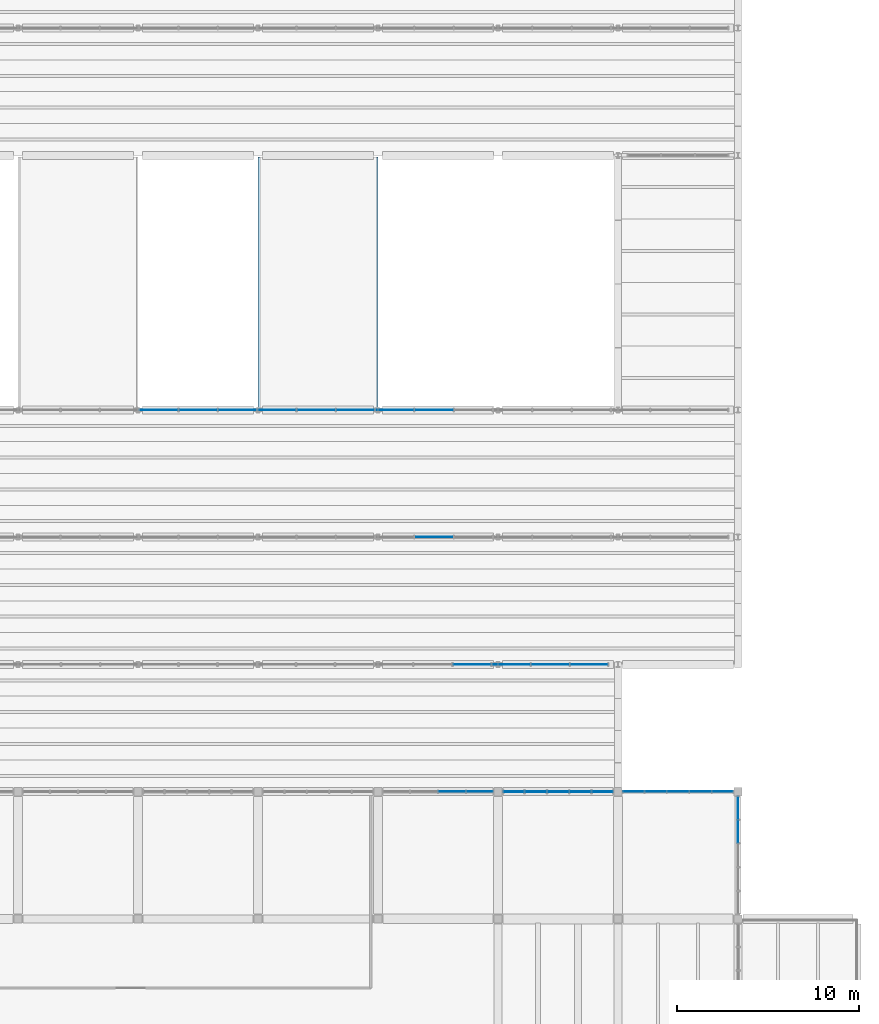
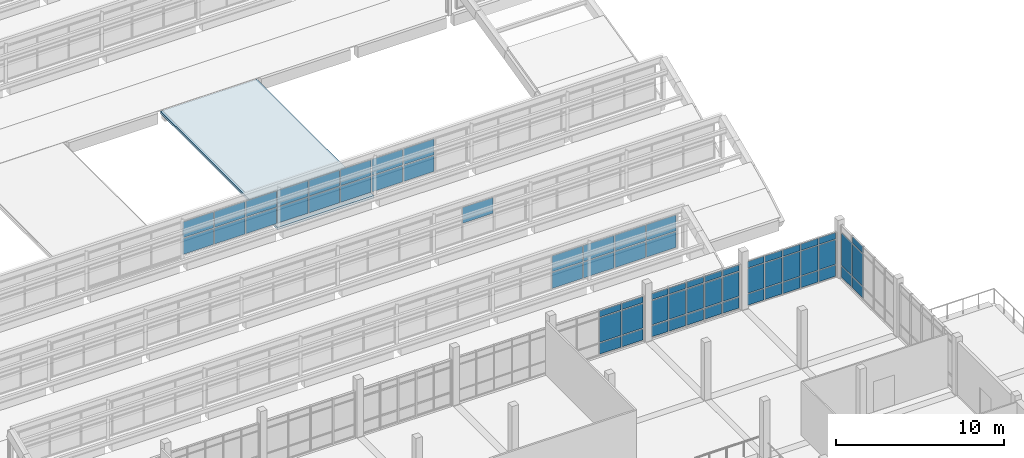
# One storey, part 70 of 92: 66 plates, 1 slab, 7 elements without a shape of their own.
"""IFC4 building model written with IfcOpenShell, lengths in metres."""

from ifc_helpers import new_model, si_unit, direction, frame, origin, origin_2d, place, context, subcontext, project, spatial, polyline, rectangle, outline, extrude, material, layer, layer_set, type_object, element, aggregate, save


model = new_model("IFC4")

# Units and contexts
model_context = context("Model", 3, precision=1e-05, world=origin(), true_north=direction((0.0, 1.0)))
body_context = subcontext(model_context, "Body", "Model", "MODEL_VIEW")
ifc_project = project(units=[si_unit("LENGTHUNIT", "METRE"), si_unit("AREAUNIT", "SQUARE_METRE"), si_unit("VOLUMEUNIT", "CUBIC_METRE"), si_unit("PLANEANGLEUNIT", "RADIAN"), si_unit("MASSUNIT", "GRAM", prefix="KILO")], contexts=[model_context])

# Site, building, storey
site_placement = place(None, origin())
site = spatial("IfcSite", under=ifc_project, at=site_placement, CompositionType="ELEMENT")
building_placement = place(site_placement, origin())
building = spatial("IfcBuilding", under=site, at=building_placement, Name="Ciguamira Faculty of Natural Sciences", CompositionType="ELEMENT")
storey_placement = place(building_placement, frame((0.0, 0.0, 16.800048828125)))
storey = spatial("IfcBuildingStorey", under=building, at=storey_placement, Name="L04", CompositionType="ELEMENT", Elevation=16.800048828125)

# Curtain wall, plates
ifc_material_1 = material(Name="Anodized aluminium curtain wall", Category="aluminium")
curtain_wall_type_1 = type_object("IfcCurtainWallType", Name="CurtainWall_CW-11", PredefinedType="USERDEFINED", material=ifc_material_1)
curtain_wall_1_placement = place(storey_placement, origin())
curtain_wall_1 = element("IfcCurtainWall", 1, at=curtain_wall_1_placement, inside=storey, type_object=curtain_wall_type_1, Name="L04 unitised curtain wall 0119", ObjectType="UNITISED CURTAIN WALL", PredefinedType="USERDEFINED")
ifc_material_2 = material(Name="Low-E laminated solar glass", Category="glass")
ifc_layer_1 = layer(ifc_material_2, 0.028076171875, Name="Low-E laminated solar glass")
ifc_layer_set_1 = layer_set([ifc_layer_1], Name="Low-E laminated solar glass")
plate_type_1 = type_object("IfcPlateType", Name="CWPanel_CWP-01", PredefinedType="CURTAIN_PANEL", material=ifc_layer_set_1)
plate_1_placement = place(storey_placement, frame((100.96875, 38.0, 0.070068359375), z_axis=(0.0, 0.0, 1.0), x_axis=(1.0, 0.0, 0.0)))
plate_1 = element("IfcPlate", 2, at=plate_1_placement, type_object=plate_type_1, Name="CW-11 panel 3.1", PredefinedType="CURTAIN_PANEL", context=body_context, shape_type="SweptSolid", body=[
    extrude(rectangle(XDim=1.467529296875, YDim=0.028076171875, at=origin_2d()), origin(), (0.0, 0.0, 1.0), 0.794921875),
])
plate_2_placement = place(storey_placement, frame((100.96875, 38.0, 0.93505859375), z_axis=(0.0, 0.0, 1.0), x_axis=(1.0, 0.0, 0.0)))
plate_2 = element("IfcPlate", 3, at=plate_2_placement, type_object=plate_type_1, Name="CW-11 panel 3.2", PredefinedType="CURTAIN_PANEL", context=body_context, shape_type="SweptSolid", body=[
    extrude(rectangle(XDim=1.467529296875, YDim=0.028076171875, at=origin_2d()), origin(), (0.0, 0.0, 1.0), 1.764892578125),
])
plate_3_placement = place(storey_placement, frame((100.96875, 38.0, 2.77001953125), z_axis=(0.0, 0.0, 1.0), x_axis=(1.0, 0.0, 0.0)))
plate_3 = element("IfcPlate", 4, at=plate_3_placement, type_object=plate_type_1, Name="CW-11 panel 3.3", PredefinedType="CURTAIN_PANEL", context=body_context, shape_type="SweptSolid", body=[
    extrude(rectangle(XDim=1.467529296875, YDim=0.028076171875, at=origin_2d()), origin(), (0.0, 0.0, 1.0), 0.445068359375),
])
plate_4_placement = place(storey_placement, frame((102.48876953125, 38.0, 0.070068359375), z_axis=(0.0, 0.0, 1.0), x_axis=(1.0, 0.0, 0.0)))
plate_4 = element("IfcPlate", 5, at=plate_4_placement, type_object=plate_type_1, Name="CW-11 panel 4.1", PredefinedType="CURTAIN_PANEL", context=body_context, shape_type="SweptSolid", body=[
    extrude(rectangle(XDim=1.4326171875, YDim=0.028076171875, at=origin_2d()), origin(), (0.0, 0.0, 1.0), 0.794921875),
])
plate_5_placement = place(storey_placement, frame((102.48876953125, 38.0, 0.93505859375), z_axis=(0.0, 0.0, 1.0), x_axis=(1.0, 0.0, 0.0)))
plate_5 = element("IfcPlate", 6, at=plate_5_placement, type_object=plate_type_1, Name="CW-11 panel 4.2", PredefinedType="CURTAIN_PANEL", context=body_context, shape_type="SweptSolid", body=[
    extrude(rectangle(XDim=1.4326171875, YDim=0.028076171875, at=origin_2d()), origin(), (0.0, 0.0, 1.0), 1.764892578125),
])
plate_6_placement = place(storey_placement, frame((102.48876953125, 38.0, 2.77001953125), z_axis=(0.0, 0.0, 1.0), x_axis=(1.0, 0.0, 0.0)))
plate_6 = element("IfcPlate", 7, at=plate_6_placement, type_object=plate_type_1, Name="CW-11 panel 4.3", PredefinedType="CURTAIN_PANEL", context=body_context, shape_type="SweptSolid", body=[
    extrude(rectangle(XDim=1.4326171875, YDim=0.028076171875, at=origin_2d()), origin(), (0.0, 0.0, 1.0), 0.445068359375),
])
aggregate(curtain_wall_1, [plate_1, plate_2, plate_3, plate_4, plate_5, plate_6])

curtain_wall_type_2 = type_object("IfcCurtainWallType", Name="CurtainWall_CW-01", PredefinedType="USERDEFINED", material=ifc_material_1)
curtain_wall_2_placement = place(storey_placement, origin())
curtain_wall_2 = element("IfcCurtainWall", 8, at=curtain_wall_2_placement, inside=storey, type_object=curtain_wall_type_2, Name="L04 unitised curtain wall 0121", ObjectType="UNITISED CURTAIN WALL", PredefinedType="USERDEFINED")
plate_7_placement = place(storey_placement, frame((110.955078125, 38.0, 0.059814453125), z_axis=(0.0, 0.0, 1.0), x_axis=(1.0, 0.0, 0.0)))
plate_7 = element("IfcPlate", 9, at=plate_7_placement, type_object=plate_type_1, Name="CW-01 panel 1.1", PredefinedType="CURTAIN_PANEL", context=body_context, shape_type="SweptSolid", body=[
    extrude(rectangle(XDim=1.139892578125, YDim=0.028076171875, at=origin_2d()), origin(), (0.0, 0.0, 1.0), 0.81005859375),
])
plate_8_placement = place(storey_placement, frame((110.955078125, 38.0, 0.929931640625), z_axis=(0.0, 0.0, 1.0), x_axis=(1.0, 0.0, 0.0)))
plate_8 = element("IfcPlate", 10, at=plate_8_placement, type_object=plate_type_1, Name="CW-01 panel 1.2", PredefinedType="CURTAIN_PANEL", context=body_context, shape_type="SweptSolid", body=[
    extrude(rectangle(XDim=1.139892578125, YDim=0.028076171875, at=origin_2d()), origin(), (0.0, 0.0, 1.0), 1.77490234375),
])
plate_9_placement = place(storey_placement, frame((110.955078125, 38.0, 2.764892578125), z_axis=(0.0, 0.0, 1.0), x_axis=(1.0, 0.0, 0.0)))
plate_9 = element("IfcPlate", 11, at=plate_9_placement, type_object=plate_type_1, Name="CW-01 panel 1.3", PredefinedType="CURTAIN_PANEL", context=body_context, shape_type="SweptSolid", body=[
    extrude(rectangle(XDim=1.139892578125, YDim=0.028076171875, at=origin_2d()), origin(), (0.0, 0.0, 1.0), 0.4599609375),
])
plate_10_placement = place(storey_placement, frame((112.169921875, 38.0, 0.059814453125), z_axis=(0.0, 0.0, 1.0), x_axis=(1.0, 0.0, 0.0)))
plate_10 = element("IfcPlate", 12, at=plate_10_placement, type_object=plate_type_1, Name="CW-01 panel 2.1", PredefinedType="CURTAIN_PANEL", context=body_context, shape_type="SweptSolid", body=[
    extrude(rectangle(XDim=1.169921875, YDim=0.028076171875, at=origin_2d()), origin(), (0.0, 0.0, 1.0), 0.81005859375),
])
plate_11_placement = place(storey_placement, frame((112.169921875, 38.0, 0.929931640625), z_axis=(0.0, 0.0, 1.0), x_axis=(1.0, 0.0, 0.0)))
plate_11 = element("IfcPlate", 13, at=plate_11_placement, type_object=plate_type_1, Name="CW-01 panel 2.2", PredefinedType="CURTAIN_PANEL", context=body_context, shape_type="SweptSolid", body=[
    extrude(rectangle(XDim=1.169921875, YDim=0.028076171875, at=origin_2d()), origin(), (0.0, 0.0, 1.0), 1.77490234375),
])
plate_12_placement = place(storey_placement, frame((112.169921875, 38.0, 2.764892578125), z_axis=(0.0, 0.0, 1.0), x_axis=(1.0, 0.0, 0.0)))
plate_12 = element("IfcPlate", 14, at=plate_12_placement, type_object=plate_type_1, Name="CW-01 panel 2.3", PredefinedType="CURTAIN_PANEL", context=body_context, shape_type="SweptSolid", body=[
    extrude(rectangle(XDim=1.169921875, YDim=0.028076171875, at=origin_2d()), origin(), (0.0, 0.0, 1.0), 0.4599609375),
])
plate_13_placement = place(storey_placement, frame((113.39990234375, 38.0, 0.059814453125), z_axis=(0.0, 0.0, 1.0), x_axis=(1.0, 0.0, 0.0)))
plate_13 = element("IfcPlate", 15, at=plate_13_placement, type_object=plate_type_1, Name="CW-01 panel 3.1", PredefinedType="CURTAIN_PANEL", context=body_context, shape_type="SweptSolid", body=[
    extrude(rectangle(XDim=1.169921875, YDim=0.028076171875, at=origin_2d()), origin(), (0.0, 0.0, 1.0), 0.81005859375),
])
plate_14_placement = place(storey_placement, frame((113.39990234375, 38.0, 0.929931640625), z_axis=(0.0, 0.0, 1.0), x_axis=(1.0, 0.0, 0.0)))
plate_14 = element("IfcPlate", 16, at=plate_14_placement, type_object=plate_type_1, Name="CW-01 panel 3.2", PredefinedType="CURTAIN_PANEL", context=body_context, shape_type="SweptSolid", body=[
    extrude(rectangle(XDim=1.169921875, YDim=0.028076171875, at=origin_2d()), origin(), (0.0, 0.0, 1.0), 1.77490234375),
])
plate_15_placement = place(storey_placement, frame((113.39990234375, 38.0, 2.764892578125), z_axis=(0.0, 0.0, 1.0), x_axis=(1.0, 0.0, 0.0)))
plate_15 = element("IfcPlate", 17, at=plate_15_placement, type_object=plate_type_1, Name="CW-01 panel 3.3", PredefinedType="CURTAIN_PANEL", context=body_context, shape_type="SweptSolid", body=[
    extrude(rectangle(XDim=1.169921875, YDim=0.028076171875, at=origin_2d()), origin(), (0.0, 0.0, 1.0), 0.4599609375),
])
plate_16_placement = place(storey_placement, frame((114.6298828125, 38.0, 0.059814453125), z_axis=(0.0, 0.0, 1.0), x_axis=(1.0, 0.0, 0.0)))
plate_16 = element("IfcPlate", 18, at=plate_16_placement, type_object=plate_type_1, Name="CW-01 panel 4.1", PredefinedType="CURTAIN_PANEL", context=body_context, shape_type="SweptSolid", body=[
    extrude(rectangle(XDim=1.169921875, YDim=0.028076171875, at=origin_2d()), origin(), (0.0, 0.0, 1.0), 0.81005859375),
])
plate_17_placement = place(storey_placement, frame((114.6298828125, 38.0, 0.929931640625), z_axis=(0.0, 0.0, 1.0), x_axis=(1.0, 0.0, 0.0)))
plate_17 = element("IfcPlate", 19, at=plate_17_placement, type_object=plate_type_1, Name="CW-01 panel 4.2", PredefinedType="CURTAIN_PANEL", context=body_context, shape_type="SweptSolid", body=[
    extrude(rectangle(XDim=1.169921875, YDim=0.028076171875, at=origin_2d()), origin(), (0.0, 0.0, 1.0), 1.77490234375),
])
plate_18_placement = place(storey_placement, frame((114.6298828125, 38.0, 2.764892578125), z_axis=(0.0, 0.0, 1.0), x_axis=(1.0, 0.0, 0.0)))
plate_18 = element("IfcPlate", 20, at=plate_18_placement, type_object=plate_type_1, Name="CW-01 panel 4.3", PredefinedType="CURTAIN_PANEL", context=body_context, shape_type="SweptSolid", body=[
    extrude(rectangle(XDim=1.169921875, YDim=0.028076171875, at=origin_2d()), origin(), (0.0, 0.0, 1.0), 0.4599609375),
])
plate_19_placement = place(storey_placement, frame((115.844970703125, 38.0, 0.059814453125), z_axis=(0.0, 0.0, 1.0), x_axis=(1.0, 0.0, 0.0)))
plate_19 = element("IfcPlate", 21, at=plate_19_placement, type_object=plate_type_1, Name="CW-01 panel 5.1", PredefinedType="CURTAIN_PANEL", context=body_context, shape_type="SweptSolid", body=[
    extrude(rectangle(XDim=1.139892578125, YDim=0.028076171875, at=origin_2d()), origin(), (0.0, 0.0, 1.0), 0.81005859375),
])
plate_20_placement = place(storey_placement, frame((115.844970703125, 38.0, 0.929931640625), z_axis=(0.0, 0.0, 1.0), x_axis=(1.0, 0.0, 0.0)))
plate_20 = element("IfcPlate", 22, at=plate_20_placement, type_object=plate_type_1, Name="CW-01 panel 5.2", PredefinedType="CURTAIN_PANEL", context=body_context, shape_type="SweptSolid", body=[
    extrude(rectangle(XDim=1.139892578125, YDim=0.028076171875, at=origin_2d()), origin(), (0.0, 0.0, 1.0), 1.77490234375),
])
plate_21_placement = place(storey_placement, frame((115.844970703125, 38.0, 2.764892578125), z_axis=(0.0, 0.0, 1.0), x_axis=(1.0, 0.0, 0.0)))
plate_21 = element("IfcPlate", 23, at=plate_21_placement, type_object=plate_type_1, Name="CW-01 panel 5.3", PredefinedType="CURTAIN_PANEL", context=body_context, shape_type="SweptSolid", body=[
    extrude(rectangle(XDim=1.139892578125, YDim=0.028076171875, at=origin_2d()), origin(), (0.0, 0.0, 1.0), 0.4599609375),
])
aggregate(curtain_wall_2, [plate_7, plate_8, plate_9, plate_10, plate_11, plate_12, plate_13, plate_14, plate_15, plate_16, plate_17, plate_18, plate_19, plate_20, plate_21])

curtain_wall_3_placement = place(storey_placement, origin())
curtain_wall_3 = element("IfcCurtainWall", 24, at=curtain_wall_3_placement, inside=storey, type_object=curtain_wall_type_2, Name="L04 unitised curtain wall 0133", ObjectType="UNITISED CURTAIN WALL", PredefinedType="USERDEFINED")
plate_22_placement = place(storey_placement, frame((116.699951171875, 35.81005859375, 0.059814453125), z_axis=(0.0, 0.0, 1.0), x_axis=(0.0, 1.0, 0.0)))
plate_22 = element("IfcPlate", 25, at=plate_22_placement, type_object=plate_type_1, Name="CW-01 panel 4.1", PredefinedType="CURTAIN_PANEL", context=body_context, shape_type="SweptSolid", body=[
    extrude(rectangle(XDim=1.25, YDim=0.028076171875, at=origin_2d()), origin(), (0.0, 0.0, 1.0), 0.81005859375),
])
plate_23_placement = place(storey_placement, frame((116.699951171875, 35.81005859375, 0.9296875), z_axis=(0.0, 0.0, 1.0), x_axis=(0.0, 1.0, 0.0)))
plate_23 = element("IfcPlate", 26, at=plate_23_placement, type_object=plate_type_1, Name="CW-01 panel 4.2", PredefinedType="CURTAIN_PANEL", context=body_context, shape_type="SweptSolid", body=[
    extrude(rectangle(XDim=1.25, YDim=0.028076171875, at=origin_2d()), origin(), (0.0, 0.0, 1.0), 2.340087890625),
])
plate_24_placement = place(storey_placement, frame((116.699951171875, 35.81005859375, 3.330078125), z_axis=(0.0, 0.0, 1.0), x_axis=(0.0, 1.0, 0.0)))
plate_24 = element("IfcPlate", 27, at=plate_24_placement, type_object=plate_type_1, Name="CW-01 panel 4.3", PredefinedType="CURTAIN_PANEL", context=body_context, shape_type="SweptSolid", body=[
    extrude(rectangle(XDim=1.25, YDim=0.028076171875, at=origin_2d()), origin(), (0.0, 0.0, 1.0), 0.4599609375),
])
plate_25_placement = place(storey_placement, frame((116.699951171875, 37.10498046875, 0.059814453125), z_axis=(0.0, 0.0, 1.0), x_axis=(0.0, 1.0, 0.0)))
plate_25 = element("IfcPlate", 28, at=plate_25_placement, type_object=plate_type_1, Name="CW-01 panel 5.1", PredefinedType="CURTAIN_PANEL", context=body_context, shape_type="SweptSolid", body=[
    extrude(rectangle(XDim=1.219970703125, YDim=0.028076171875, at=origin_2d()), origin(), (0.0, 0.0, 1.0), 0.81005859375),
])
plate_26_placement = place(storey_placement, frame((116.699951171875, 37.10498046875, 0.9296875), z_axis=(0.0, 0.0, 1.0), x_axis=(0.0, 1.0, 0.0)))
plate_26 = element("IfcPlate", 29, at=plate_26_placement, type_object=plate_type_1, Name="CW-01 panel 5.2", PredefinedType="CURTAIN_PANEL", context=body_context, shape_type="SweptSolid", body=[
    extrude(rectangle(XDim=1.219970703125, YDim=0.028076171875, at=origin_2d()), origin(), (0.0, 0.0, 1.0), 2.340087890625),
])
aggregate(curtain_wall_3, [plate_22, plate_23, plate_24, plate_25, plate_26])

curtain_wall_type_3 = type_object("IfcCurtainWallType", Name="CurtainWall_CW-12", PredefinedType="USERDEFINED", material=ifc_material_1)
curtain_wall_4_placement = place(storey_placement, origin())
curtain_wall_4 = element("IfcCurtainWall", 30, at=curtain_wall_4_placement, inside=storey, type_object=curtain_wall_type_3, Name="L04 unitised curtain wall 0120", ObjectType="UNITISED CURTAIN WALL", PredefinedType="USERDEFINED")
ifc_layer_2 = layer(ifc_material_2, 0.035888671875, Name="Low-E laminated solar glass")
ifc_layer_set_2 = layer_set([ifc_layer_2], Name="Low-E laminated solar glass")
plate_type_2 = type_object("IfcPlateType", Name="CWPanel_CWP-02", PredefinedType="CURTAIN_PANEL", material=ifc_layer_set_2)
plate_27_placement = place(storey_placement, frame((104.360107421875, 38.0, 0.080078125), z_axis=(0.0, 0.0, 1.0), x_axis=(1.0, 0.0, 0.0)))
plate_27 = element("IfcPlate", 31, at=plate_27_placement, type_object=plate_type_2, Name="CW-12 panel 1.1", PredefinedType="CURTAIN_PANEL", context=body_context, shape_type="SweptSolid", body=[
    extrude(rectangle(XDim=1.110107421875, YDim=0.035888671875, at=origin_2d()), origin(), (0.0, 0.0, 1.0), 0.780029296875),
])
plate_28_placement = place(storey_placement, frame((104.360107421875, 38.0, 0.93994140625), z_axis=(0.0, 0.0, 1.0), x_axis=(1.0, 0.0, 0.0)))
plate_28 = element("IfcPlate", 32, at=plate_28_placement, type_object=plate_type_2, Name="CW-12 panel 1.2", PredefinedType="CURTAIN_PANEL", context=body_context, shape_type="SweptSolid", body=[
    extrude(rectangle(XDim=1.110107421875, YDim=0.035888671875, at=origin_2d()), origin(), (0.0, 0.0, 1.0), 1.7548828125),
])
plate_29_placement = place(storey_placement, frame((104.360107421875, 38.0, 2.77490234375), z_axis=(0.0, 0.0, 1.0), x_axis=(1.0, 0.0, 0.0)))
plate_29 = element("IfcPlate", 33, at=plate_29_placement, type_object=plate_type_2, Name="CW-12 panel 1.3", PredefinedType="CURTAIN_PANEL", context=body_context, shape_type="SweptSolid", body=[
    extrude(rectangle(XDim=1.110107421875, YDim=0.035888671875, at=origin_2d()), origin(), (0.0, 0.0, 1.0), 0.429931640625),
])
plate_30_placement = place(storey_placement, frame((105.570068359375, 38.0, 0.080078125), z_axis=(0.0, 0.0, 1.0), x_axis=(1.0, 0.0, 0.0)))
plate_30 = element("IfcPlate", 34, at=plate_30_placement, type_object=plate_type_2, Name="CW-12 panel 2.1", PredefinedType="CURTAIN_PANEL", context=body_context, shape_type="SweptSolid", body=[
    extrude(rectangle(XDim=1.14990234375, YDim=0.035888671875, at=origin_2d()), origin(), (0.0, 0.0, 1.0), 0.780029296875),
])
plate_31_placement = place(storey_placement, frame((105.570068359375, 38.0, 0.93994140625), z_axis=(0.0, 0.0, 1.0), x_axis=(1.0, 0.0, 0.0)))
plate_31 = element("IfcPlate", 35, at=plate_31_placement, type_object=plate_type_2, Name="CW-12 panel 2.2", PredefinedType="CURTAIN_PANEL", context=body_context, shape_type="SweptSolid", body=[
    extrude(rectangle(XDim=1.14990234375, YDim=0.035888671875, at=origin_2d()), origin(), (0.0, 0.0, 1.0), 1.7548828125),
])
plate_32_placement = place(storey_placement, frame((105.570068359375, 38.0, 2.77490234375), z_axis=(0.0, 0.0, 1.0), x_axis=(1.0, 0.0, 0.0)))
plate_32 = element("IfcPlate", 36, at=plate_32_placement, type_object=plate_type_2, Name="CW-12 panel 2.3", PredefinedType="CURTAIN_PANEL", context=body_context, shape_type="SweptSolid", body=[
    extrude(rectangle(XDim=1.14990234375, YDim=0.035888671875, at=origin_2d()), origin(), (0.0, 0.0, 1.0), 0.429931640625),
])
plate_33_placement = place(storey_placement, frame((106.800048828125, 38.0, 0.080078125), z_axis=(0.0, 0.0, 1.0), x_axis=(1.0, 0.0, 0.0)))
plate_33 = element("IfcPlate", 37, at=plate_33_placement, type_object=plate_type_2, Name="CW-12 panel 3.1", PredefinedType="CURTAIN_PANEL", context=body_context, shape_type="SweptSolid", body=[
    extrude(rectangle(XDim=1.14990234375, YDim=0.035888671875, at=origin_2d()), origin(), (0.0, 0.0, 1.0), 0.780029296875),
])
plate_34_placement = place(storey_placement, frame((106.800048828125, 38.0, 0.93994140625), z_axis=(0.0, 0.0, 1.0), x_axis=(1.0, 0.0, 0.0)))
plate_34 = element("IfcPlate", 38, at=plate_34_placement, type_object=plate_type_2, Name="CW-12 panel 3.2", PredefinedType="CURTAIN_PANEL", context=body_context, shape_type="SweptSolid", body=[
    extrude(rectangle(XDim=1.14990234375, YDim=0.035888671875, at=origin_2d()), origin(), (0.0, 0.0, 1.0), 1.7548828125),
])
plate_35_placement = place(storey_placement, frame((106.800048828125, 38.0, 2.77490234375), z_axis=(0.0, 0.0, 1.0), x_axis=(1.0, 0.0, 0.0)))
plate_35 = element("IfcPlate", 39, at=plate_35_placement, type_object=plate_type_2, Name="CW-12 panel 3.3", PredefinedType="CURTAIN_PANEL", context=body_context, shape_type="SweptSolid", body=[
    extrude(rectangle(XDim=1.14990234375, YDim=0.035888671875, at=origin_2d()), origin(), (0.0, 0.0, 1.0), 0.429931640625),
])
plate_36_placement = place(storey_placement, frame((108.030029296875, 38.0, 0.080078125), z_axis=(0.0, 0.0, 1.0), x_axis=(1.0, 0.0, 0.0)))
plate_36 = element("IfcPlate", 40, at=plate_36_placement, type_object=plate_type_2, Name="CW-12 panel 4.1", PredefinedType="CURTAIN_PANEL", context=body_context, shape_type="SweptSolid", body=[
    extrude(rectangle(XDim=1.14990234375, YDim=0.035888671875, at=origin_2d()), origin(), (0.0, 0.0, 1.0), 0.780029296875),
])
plate_37_placement = place(storey_placement, frame((108.030029296875, 38.0, 0.93994140625), z_axis=(0.0, 0.0, 1.0), x_axis=(1.0, 0.0, 0.0)))
plate_37 = element("IfcPlate", 41, at=plate_37_placement, type_object=plate_type_2, Name="CW-12 panel 4.2", PredefinedType="CURTAIN_PANEL", context=body_context, shape_type="SweptSolid", body=[
    extrude(rectangle(XDim=1.14990234375, YDim=0.035888671875, at=origin_2d()), origin(), (0.0, 0.0, 1.0), 1.7548828125),
])
plate_38_placement = place(storey_placement, frame((108.030029296875, 38.0, 2.77490234375), z_axis=(0.0, 0.0, 1.0), x_axis=(1.0, 0.0, 0.0)))
plate_38 = element("IfcPlate", 42, at=plate_38_placement, type_object=plate_type_2, Name="CW-12 panel 4.3", PredefinedType="CURTAIN_PANEL", context=body_context, shape_type="SweptSolid", body=[
    extrude(rectangle(XDim=1.14990234375, YDim=0.035888671875, at=origin_2d()), origin(), (0.0, 0.0, 1.0), 0.429931640625),
])
plate_39_placement = place(storey_placement, frame((109.239990234375, 38.0, 0.080078125), z_axis=(0.0, 0.0, 1.0), x_axis=(1.0, 0.0, 0.0)))
plate_39 = element("IfcPlate", 43, at=plate_39_placement, type_object=plate_type_2, Name="CW-12 panel 5.1", PredefinedType="CURTAIN_PANEL", context=body_context, shape_type="SweptSolid", body=[
    extrude(rectangle(XDim=1.110107421875, YDim=0.035888671875, at=origin_2d()), origin(), (0.0, 0.0, 1.0), 0.780029296875),
])
plate_40_placement = place(storey_placement, frame((109.239990234375, 38.0, 0.93994140625), z_axis=(0.0, 0.0, 1.0), x_axis=(1.0, 0.0, 0.0)))
plate_40 = element("IfcPlate", 44, at=plate_40_placement, type_object=plate_type_2, Name="CW-12 panel 5.2", PredefinedType="CURTAIN_PANEL", context=body_context, shape_type="SweptSolid", body=[
    extrude(rectangle(XDim=1.110107421875, YDim=0.035888671875, at=origin_2d()), origin(), (0.0, 0.0, 1.0), 1.7548828125),
])
plate_41_placement = place(storey_placement, frame((109.239990234375, 38.0, 2.77490234375), z_axis=(0.0, 0.0, 1.0), x_axis=(1.0, 0.0, 0.0)))
plate_41 = element("IfcPlate", 45, at=plate_41_placement, type_object=plate_type_2, Name="CW-12 panel 5.3", PredefinedType="CURTAIN_PANEL", context=body_context, shape_type="SweptSolid", body=[
    extrude(rectangle(XDim=1.110107421875, YDim=0.035888671875, at=origin_2d()), origin(), (0.0, 0.0, 1.0), 0.429931640625),
])
aggregate(curtain_wall_4, [plate_27, plate_28, plate_29, plate_30, plate_31, plate_32, plate_33, plate_34, plate_35, plate_36, plate_37, plate_38, plate_39, plate_40, plate_41])

curtain_wall_type_4 = type_object("IfcCurtainWallType", Name="CurtainWall_CW-02", PredefinedType="USERDEFINED", material=ifc_material_1)
curtain_wall_5_placement = place(storey_placement, origin())
curtain_wall_5 = element("IfcCurtainWall", 46, at=curtain_wall_5_placement, inside=storey, type_object=curtain_wall_type_4, Name="V4 north-light wave 1 clerestory glazing 1", ObjectType="UNITISED CURTAIN WALL", PredefinedType="USERDEFINED")
plate_42_placement = place(storey_placement, frame((102.066650390625, 45.0, 0.31982421875), z_axis=(0.0, 0.0, 1.0), x_axis=(1.0, 0.0, 0.0)))
plate_42 = element("IfcPlate", 47, at=plate_42_placement, type_object=plate_type_2, Name="CW-02 panel 18.1", PredefinedType="CURTAIN_PANEL", context=body_context, shape_type="SweptSolid", body=[
    extrude(rectangle(XDim=2.082275390625, YDim=0.035888671875, at=origin_2d()), origin(), (0.0, 0.0, 1.0), 1.14501953125),
])
plate_43_placement = place(storey_placement, frame((102.066650390625, 45.0, 1.534912109375), z_axis=(0.0, 0.0, 1.0), x_axis=(1.0, 0.0, 0.0)))
plate_43 = element("IfcPlate", 48, at=plate_43_placement, type_object=plate_type_2, Name="CW-02 panel 18.2", PredefinedType="CURTAIN_PANEL", context=body_context, shape_type="SweptSolid", body=[
    extrude(rectangle(XDim=2.082275390625, YDim=0.035888671875, at=origin_2d()), origin(), (0.0, 0.0, 1.0), 1.14501953125),
])
plate_44_placement = place(storey_placement, frame((104.218994140625, 45.0, 0.31982421875), z_axis=(0.0, 0.0, 1.0), x_axis=(1.0, 0.0, 0.0)))
plate_44 = element("IfcPlate", 49, at=plate_44_placement, type_object=plate_type_2, Name="CW-02 panel 19.1", PredefinedType="CURTAIN_PANEL", context=body_context, shape_type="SweptSolid", body=[
    extrude(rectangle(XDim=2.082275390625, YDim=0.035888671875, at=origin_2d()), origin(), (0.0, 0.0, 1.0), 1.14501953125),
])
plate_45_placement = place(storey_placement, frame((104.218994140625, 45.0, 1.534912109375), z_axis=(0.0, 0.0, 1.0), x_axis=(1.0, 0.0, 0.0)))
plate_45 = element("IfcPlate", 50, at=plate_45_placement, type_object=plate_type_2, Name="CW-02 panel 19.2", PredefinedType="CURTAIN_PANEL", context=body_context, shape_type="SweptSolid", body=[
    extrude(rectangle(XDim=2.082275390625, YDim=0.035888671875, at=origin_2d()), origin(), (0.0, 0.0, 1.0), 1.14501953125),
])
plate_46_placement = place(storey_placement, frame((106.371337890625, 45.0, 0.31982421875), z_axis=(0.0, 0.0, 1.0), x_axis=(1.0, 0.0, 0.0)))
plate_46 = element("IfcPlate", 51, at=plate_46_placement, type_object=plate_type_2, Name="CW-02 panel 20.1", PredefinedType="CURTAIN_PANEL", context=body_context, shape_type="SweptSolid", body=[
    extrude(rectangle(XDim=2.082275390625, YDim=0.035888671875, at=origin_2d()), origin(), (0.0, 0.0, 1.0), 1.14501953125),
])
plate_47_placement = place(storey_placement, frame((106.371337890625, 45.0, 1.534912109375), z_axis=(0.0, 0.0, 1.0), x_axis=(1.0, 0.0, 0.0)))
plate_47 = element("IfcPlate", 52, at=plate_47_placement, type_object=plate_type_2, Name="CW-02 panel 20.2", PredefinedType="CURTAIN_PANEL", context=body_context, shape_type="SweptSolid", body=[
    extrude(rectangle(XDim=2.082275390625, YDim=0.035888671875, at=origin_2d()), origin(), (0.0, 0.0, 1.0), 1.14501953125),
])
plate_48_placement = place(storey_placement, frame((108.50634765625, 45.0, 0.31982421875), z_axis=(0.0, 0.0, 1.0), x_axis=(1.0, 0.0, 0.0)))
plate_48 = element("IfcPlate", 53, at=plate_48_placement, type_object=plate_type_2, Name="CW-02 panel 21.1", PredefinedType="CURTAIN_PANEL", context=body_context, shape_type="SweptSolid", body=[
    extrude(rectangle(XDim=2.04736328125, YDim=0.035888671875, at=origin_2d()), origin(), (0.0, 0.0, 1.0), 1.14501953125),
])
plate_49_placement = place(storey_placement, frame((108.50634765625, 45.0, 1.534912109375), z_axis=(0.0, 0.0, 1.0), x_axis=(1.0, 0.0, 0.0)))
plate_49 = element("IfcPlate", 54, at=plate_49_placement, type_object=plate_type_2, Name="CW-02 panel 21.2", PredefinedType="CURTAIN_PANEL", context=body_context, shape_type="SweptSolid", body=[
    extrude(rectangle(XDim=2.04736328125, YDim=0.035888671875, at=origin_2d()), origin(), (0.0, 0.0, 1.0), 1.14501953125),
])
aggregate(curtain_wall_5, [plate_42, plate_43, plate_44, plate_45, plate_46, plate_47, plate_48, plate_49])

# Curtain wall, plate
curtain_wall_type_5 = type_object("IfcCurtainWallType", Name="CurtainWall_CW-03", PredefinedType="USERDEFINED", material=ifc_material_1)
curtain_wall_6_placement = place(storey_placement, origin())
curtain_wall_6 = element("IfcCurtainWall", 55, at=curtain_wall_6_placement, inside=storey, type_object=curtain_wall_type_5, Name="V4 north-light wave 2 clerestory glazing 1", ObjectType="UNITISED CURTAIN WALL", PredefinedType="USERDEFINED")
plate_50_placement = place(storey_placement, frame((99.977783203125, 52.0, 1.534912109375), z_axis=(0.0, 0.0, 1.0), x_axis=(1.0, 0.0, 0.0)))
plate_50 = element("IfcPlate", 56, at=plate_50_placement, type_object=plate_type_2, Name="CW-03 panel 20.2", PredefinedType="CURTAIN_PANEL", context=body_context, shape_type="SweptSolid", body=[
    extrude(rectangle(XDim=2.093017578125, YDim=0.035888671875, at=origin_2d()), origin(), (0.0, 0.0, 1.0), 1.14501953125),
])
aggregate(curtain_wall_6, [plate_50])

# Curtain wall, plates
curtain_wall_type_6 = type_object("IfcCurtainWallType", Name="CurtainWall_CW-04", PredefinedType="USERDEFINED", material=ifc_material_1)
curtain_wall_7_placement = place(storey_placement, origin())
curtain_wall_7 = element("IfcCurtainWall", 57, at=curtain_wall_7_placement, inside=storey, type_object=curtain_wall_type_6, Name="V4 north-light wave 3 clerestory glazing 1", ObjectType="UNITISED CURTAIN WALL", PredefinedType="USERDEFINED")
plate_51_placement = place(storey_placement, frame((84.837158203125, 59.0, 0.31982421875), z_axis=(0.0, 0.0, 1.0), x_axis=(1.0, 0.0, 0.0)))
plate_51 = element("IfcPlate", 58, at=plate_51_placement, type_object=plate_type_2, Name="CW-04 panel 13.1", PredefinedType="CURTAIN_PANEL", context=body_context, shape_type="SweptSolid", body=[
    extrude(rectangle(XDim=2.093017578125, YDim=0.035888671875, at=origin_2d()), origin(), (0.0, 0.0, 1.0), 1.14501953125),
])
plate_52_placement = place(storey_placement, frame((84.837158203125, 59.0, 1.534912109375), z_axis=(0.0, 0.0, 1.0), x_axis=(1.0, 0.0, 0.0)))
plate_52 = element("IfcPlate", 59, at=plate_52_placement, type_object=plate_type_2, Name="CW-04 panel 13.2", PredefinedType="CURTAIN_PANEL", context=body_context, shape_type="SweptSolid", body=[
    extrude(rectangle(XDim=2.093017578125, YDim=0.035888671875, at=origin_2d()), origin(), (0.0, 0.0, 1.0), 1.14501953125),
])
plate_53_placement = place(storey_placement, frame((87.0, 59.0, 0.31982421875), z_axis=(0.0, 0.0, 1.0), x_axis=(1.0, 0.0, 0.0)))
plate_53 = element("IfcPlate", 60, at=plate_53_placement, type_object=plate_type_2, Name="CW-04 panel 14.1", PredefinedType="CURTAIN_PANEL", context=body_context, shape_type="SweptSolid", body=[
    extrude(rectangle(XDim=2.093017578125, YDim=0.035888671875, at=origin_2d()), origin(), (0.0, 0.0, 1.0), 1.14501953125),
])
plate_54_placement = place(storey_placement, frame((87.0, 59.0, 1.534912109375), z_axis=(0.0, 0.0, 1.0), x_axis=(1.0, 0.0, 0.0)))
plate_54 = element("IfcPlate", 61, at=plate_54_placement, type_object=plate_type_2, Name="CW-04 panel 14.2", PredefinedType="CURTAIN_PANEL", context=body_context, shape_type="SweptSolid", body=[
    extrude(rectangle(XDim=2.093017578125, YDim=0.035888671875, at=origin_2d()), origin(), (0.0, 0.0, 1.0), 1.14501953125),
])
plate_55_placement = place(storey_placement, frame((89.162841796875, 59.0, 0.31982421875), z_axis=(0.0, 0.0, 1.0), x_axis=(1.0, 0.0, 0.0)))
plate_55 = element("IfcPlate", 62, at=plate_55_placement, type_object=plate_type_2, Name="CW-04 panel 15.1", PredefinedType="CURTAIN_PANEL", context=body_context, shape_type="SweptSolid", body=[
    extrude(rectangle(XDim=2.093017578125, YDim=0.035888671875, at=origin_2d()), origin(), (0.0, 0.0, 1.0), 1.14501953125),
])
plate_56_placement = place(storey_placement, frame((89.162841796875, 59.0, 1.534912109375), z_axis=(0.0, 0.0, 1.0), x_axis=(1.0, 0.0, 0.0)))
plate_56 = element("IfcPlate", 63, at=plate_56_placement, type_object=plate_type_2, Name="CW-04 panel 15.2", PredefinedType="CURTAIN_PANEL", context=body_context, shape_type="SweptSolid", body=[
    extrude(rectangle(XDim=2.093017578125, YDim=0.035888671875, at=origin_2d()), origin(), (0.0, 0.0, 1.0), 1.14501953125),
])
plate_57_placement = place(storey_placement, frame((91.325927734375, 59.0, 0.31982421875), z_axis=(0.0, 0.0, 1.0), x_axis=(1.0, 0.0, 0.0)))
plate_57 = element("IfcPlate", 64, at=plate_57_placement, type_object=plate_type_2, Name="CW-04 panel 16.1", PredefinedType="CURTAIN_PANEL", context=body_context, shape_type="SweptSolid", body=[
    extrude(rectangle(XDim=2.093017578125, YDim=0.035888671875, at=origin_2d()), origin(), (0.0, 0.0, 1.0), 1.14501953125),
])
plate_58_placement = place(storey_placement, frame((91.325927734375, 59.0, 1.534912109375), z_axis=(0.0, 0.0, 1.0), x_axis=(1.0, 0.0, 0.0)))
plate_58 = element("IfcPlate", 65, at=plate_58_placement, type_object=plate_type_2, Name="CW-04 panel 16.2", PredefinedType="CURTAIN_PANEL", context=body_context, shape_type="SweptSolid", body=[
    extrude(rectangle(XDim=2.093017578125, YDim=0.035888671875, at=origin_2d()), origin(), (0.0, 0.0, 1.0), 1.14501953125),
])
plate_59_placement = place(storey_placement, frame((93.48876953125, 59.0, 0.31982421875), z_axis=(0.0, 0.0, 1.0), x_axis=(1.0, 0.0, 0.0)))
plate_59 = element("IfcPlate", 66, at=plate_59_placement, type_object=plate_type_2, Name="CW-04 panel 17.1", PredefinedType="CURTAIN_PANEL", context=body_context, shape_type="SweptSolid", body=[
    extrude(rectangle(XDim=2.093017578125, YDim=0.035888671875, at=origin_2d()), origin(), (0.0, 0.0, 1.0), 1.14501953125),
])
plate_60_placement = place(storey_placement, frame((93.48876953125, 59.0, 1.534912109375), z_axis=(0.0, 0.0, 1.0), x_axis=(1.0, 0.0, 0.0)))
plate_60 = element("IfcPlate", 67, at=plate_60_placement, type_object=plate_type_2, Name="CW-04 panel 17.2", PredefinedType="CURTAIN_PANEL", context=body_context, shape_type="SweptSolid", body=[
    extrude(rectangle(XDim=2.093017578125, YDim=0.035888671875, at=origin_2d()), origin(), (0.0, 0.0, 1.0), 1.14501953125),
])
plate_61_placement = place(storey_placement, frame((95.65185546875, 59.0, 0.31982421875), z_axis=(0.0, 0.0, 1.0), x_axis=(1.0, 0.0, 0.0)))
plate_61 = element("IfcPlate", 68, at=plate_61_placement, type_object=plate_type_2, Name="CW-04 panel 18.1", PredefinedType="CURTAIN_PANEL", context=body_context, shape_type="SweptSolid", body=[
    extrude(rectangle(XDim=2.093017578125, YDim=0.035888671875, at=origin_2d()), origin(), (0.0, 0.0, 1.0), 1.14501953125),
])
plate_62_placement = place(storey_placement, frame((95.65185546875, 59.0, 1.534912109375), z_axis=(0.0, 0.0, 1.0), x_axis=(1.0, 0.0, 0.0)))
plate_62 = element("IfcPlate", 69, at=plate_62_placement, type_object=plate_type_2, Name="CW-04 panel 18.2", PredefinedType="CURTAIN_PANEL", context=body_context, shape_type="SweptSolid", body=[
    extrude(rectangle(XDim=2.093017578125, YDim=0.035888671875, at=origin_2d()), origin(), (0.0, 0.0, 1.0), 1.14501953125),
])
plate_63_placement = place(storey_placement, frame((97.814697265625, 59.0, 0.31982421875), z_axis=(0.0, 0.0, 1.0), x_axis=(1.0, 0.0, 0.0)))
plate_63 = element("IfcPlate", 70, at=plate_63_placement, type_object=plate_type_2, Name="CW-04 panel 19.1", PredefinedType="CURTAIN_PANEL", context=body_context, shape_type="SweptSolid", body=[
    extrude(rectangle(XDim=2.093017578125, YDim=0.035888671875, at=origin_2d()), origin(), (0.0, 0.0, 1.0), 1.14501953125),
])
plate_64_placement = place(storey_placement, frame((97.814697265625, 59.0, 1.534912109375), z_axis=(0.0, 0.0, 1.0), x_axis=(1.0, 0.0, 0.0)))
plate_64 = element("IfcPlate", 71, at=plate_64_placement, type_object=plate_type_2, Name="CW-04 panel 19.2", PredefinedType="CURTAIN_PANEL", context=body_context, shape_type="SweptSolid", body=[
    extrude(rectangle(XDim=2.093017578125, YDim=0.035888671875, at=origin_2d()), origin(), (0.0, 0.0, 1.0), 1.14501953125),
])
plate_65_placement = place(storey_placement, frame((99.977783203125, 59.0, 0.31982421875), z_axis=(0.0, 0.0, 1.0), x_axis=(1.0, 0.0, 0.0)))
plate_65 = element("IfcPlate", 72, at=plate_65_placement, type_object=plate_type_2, Name="CW-04 panel 20.1", PredefinedType="CURTAIN_PANEL", context=body_context, shape_type="SweptSolid", body=[
    extrude(rectangle(XDim=2.093017578125, YDim=0.035888671875, at=origin_2d()), origin(), (0.0, 0.0, 1.0), 1.14501953125),
])
plate_66_placement = place(storey_placement, frame((99.977783203125, 59.0, 1.534912109375), z_axis=(0.0, 0.0, 1.0), x_axis=(1.0, 0.0, 0.0)))
plate_66 = element("IfcPlate", 73, at=plate_66_placement, type_object=plate_type_2, Name="CW-04 panel 20.2", PredefinedType="CURTAIN_PANEL", context=body_context, shape_type="SweptSolid", body=[
    extrude(rectangle(XDim=2.093017578125, YDim=0.035888671875, at=origin_2d()), origin(), (0.0, 0.0, 1.0), 1.14501953125),
])
aggregate(curtain_wall_7, [plate_51, plate_52, plate_53, plate_54, plate_55, plate_56, plate_57, plate_58, plate_59, plate_60, plate_61, plate_62, plate_63, plate_64, plate_65, plate_66])

# Slab
ifc_material_3 = material(Name="Concrete C40/50", Category="concrete")
ifc_layer_3 = layer(ifc_material_3, 0.179931640625, Name="Concrete C40/50")
ifc_layer_set_3 = layer_set([ifc_layer_3], Name="Concrete C40/50")
slab_type = type_object("IfcSlabType", Name="Slab_SR-01_180", PredefinedType="ROOF", material=ifc_layer_set_3)
slab_placement = place(storey_placement, frame((0.0, 0.0, -0.179931640625)))
element("IfcSlab", 74, at=slab_placement, inside=storey, type_object=slab_type, Name="Link bridge BR-4 roof deck", PredefinedType="ROOF", context=body_context, shape_type="SweptSolid", body=[
    extrude(outline(polyline([(90.300048828125, 59.0), (96.89990234375, 59.0), (96.89990234375, 72.89990234375), (90.300048828125, 72.89990234375), (90.300048828125, 59.0)])), origin(), (0.0, 0.0, 1.0), 0.179931640625),
])

save(model, "model.ifc")
